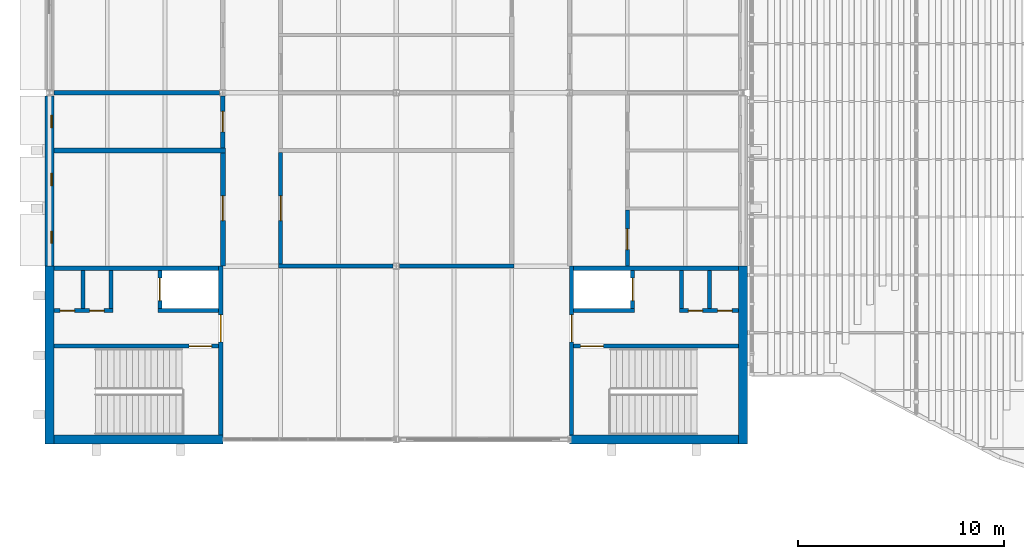
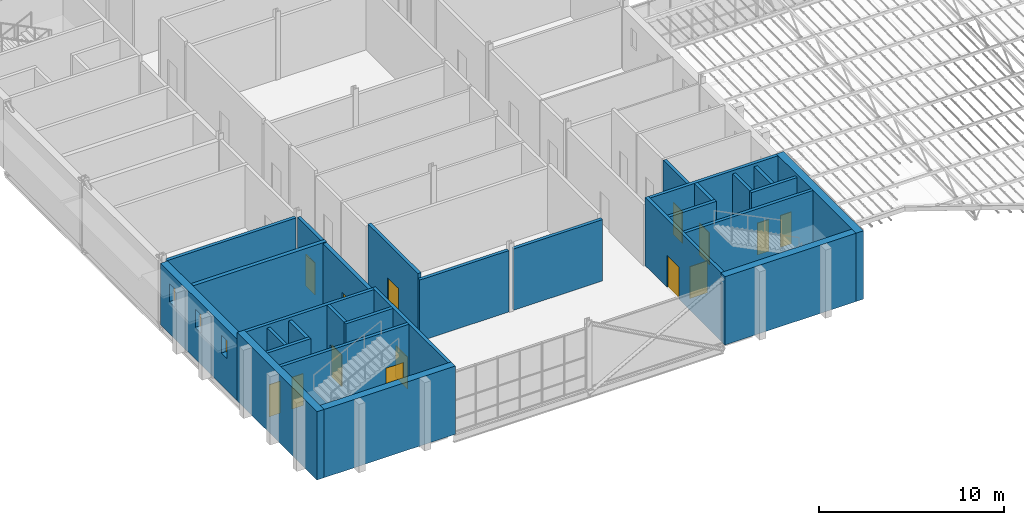
# One storey, part 84 of 129: 29 walls, 14 doors, 3 windows, 17 openings.
"""IFC4 building model written with IfcOpenShell, lengths in metres."""

import ifcopenshell
import ifcopenshell.guid

model = None  # the IFC model being written
_history = None  # IfcOwnerHistory: only IFC2X3 demands one
_inside = {}  # id of a spatial element -> (the spatial element, [elements in it])
_under = {}  # id of a project, library or spatial element -> (it, [spatial elements below it])
_declared = {}  # id of a project -> (the project, [libraries it declares])
_typed = {}  # id of a type object -> (the type object, [elements of that type])
_made_of = {}  # id of a material, layer set ... -> (it, [elements and type objects made of it])


def new_model(schema):
    """Start an empty IFC model of exactly this schema.

    Asked for "IFC4X3", IfcOpenShell would pick the latest addendum, in which some entities
    have other attributes; the version numbers below select the first issue.
    IFC2X3 requires an IfcOwnerHistory on every rooted entity: one is made here for all.
    """
    global model, _history
    if schema == "IFC4X3":
        model = ifcopenshell.file(schema_version=(4, 3, 0, 0))
    else:
        model = ifcopenshell.file(schema=schema)
    _inside.clear()
    _under.clear()
    _declared.clear()
    _typed.clear()
    _made_of.clear()
    _history = None
    if model.schema == "IFC2X3":
        org = make("IfcOrganization", Name="unknown")
        user = make(
            "IfcPersonAndOrganization",
            ThePerson=make("IfcPerson", FamilyName="unknown"),
            TheOrganization=org,
        )
        app = make(
            "IfcApplication",
            ApplicationDeveloper=org,
            Version="unknown",
            ApplicationFullName="unknown",
            ApplicationIdentifier="unknown",
        )
        _history = make(
            "IfcOwnerHistory",
            OwningUser=user,
            OwningApplication=app,
            ChangeAction="ADDED",
            CreationDate=0,
        )
    return model


def make(cls, **values):
    """One entity of the class cls with the attributes given. An attribute that is None is left unset."""
    return model.create_entity(
        cls, **{name: value for name, value in values.items() if value is not None}
    )


def rooted(cls, **values):
    """An entity with a GlobalId (a new one), such as an element, a storey or a relation."""
    return make(cls, GlobalId=ifcopenshell.guid.new(), OwnerHistory=_history, **values)


def si_unit(unit_type, name, prefix=None):
    """IfcSIUnit, for example si_unit("LENGTHUNIT", "METRE", prefix="MILLI")."""
    return make("IfcSIUnit", UnitType=unit_type, Prefix=prefix, Name=name)


def assignment(units):
    """IfcUnitAssignment: the units of a project."""
    return None if units is None else make("IfcUnitAssignment", Units=units)


def point(xyz):
    """IfcCartesianPoint."""
    return None if xyz is None else make("IfcCartesianPoint", Coordinates=xyz)


def direction(xyz):
    """IfcDirection."""
    return None if xyz is None else make("IfcDirection", DirectionRatios=xyz)


def frame(location, z_axis=None, x_axis=None):
    """IfcAxis2Placement3D, a coordinate frame: its origin and axes. An axis left out is left unset."""
    return make(
        "IfcAxis2Placement3D",
        Location=point(location),
        Axis=direction(z_axis),
        RefDirection=direction(x_axis),
    )


def frame_2d(location, x_axis=None):
    """IfcAxis2Placement2D, a coordinate frame in the plane: its origin and x axis."""
    return make(
        "IfcAxis2Placement2D", Location=point(location), RefDirection=direction(x_axis)
    )


def origin():
    """The frame at (0, 0, 0) with its axes left unset."""
    return frame((0.0, 0.0, 0.0))


def place(relative_to, where):
    """IfcLocalPlacement: puts the frame where relative to a parent placement (None: the world)."""
    return make(
        "IfcLocalPlacement", PlacementRelTo=relative_to, RelativePlacement=where
    )


def context(
    kind, dimensions, precision=None, world=None, true_north=None, identifier=None
):
    """IfcGeometricRepresentationContext, for example the 3D "Model" context."""
    return make(
        "IfcGeometricRepresentationContext",
        ContextIdentifier=identifier,
        ContextType=kind,
        CoordinateSpaceDimension=dimensions,
        Precision=precision,
        WorldCoordinateSystem=world,
        TrueNorth=true_north,
    )


def subcontext(parent, identifier, kind, view, scale=None):
    """IfcGeometricRepresentationSubContext, for example "Body" below "Model"."""
    return make(
        "IfcGeometricRepresentationSubContext",
        ContextIdentifier=identifier,
        ContextType=kind,
        ParentContext=parent,
        TargetScale=scale,
        TargetView=view,
    )


def project(units=None, contexts=None):
    """IfcProject with its units and contexts."""
    return rooted(
        "IfcProject",
        Name="project",
        RepresentationContexts=contexts,
        UnitsInContext=assignment(units),
    )


def spatial(cls, under=None, at=None, **own):
    """A site, building, storey or space (cls), placed at a placement, below another one or the project."""
    s = rooted(cls, ObjectPlacement=at, **own)
    if under is not None:
        _under.setdefault(under.id(), (under, []))[1].append(s)
    return s


def profile(cls, at=None, kind="AREA", **sizes):
    """A parametric profile (cls). Its sizes go by their IFC names, for example OverallWidth=200.0."""
    return make(cls, ProfileType=kind, Position=at, **sizes)


def rectangle(**sizes):
    """IfcRectangleProfileDef."""
    return profile("IfcRectangleProfileDef", **sizes)


def extrude(swept, where, along, depth):
    """IfcExtrudedAreaSolid: the profile swept, set in the frame where, extruded along a direction by depth."""
    return make(
        "IfcExtrudedAreaSolid",
        SweptArea=swept,
        Position=where,
        ExtrudedDirection=direction(along),
        Depth=depth,
    )


def shape(context_of_items, identifier, shape_type, items):
    """IfcShapeRepresentation: the items that make up one representation, for example the "Body"."""
    return make(
        "IfcShapeRepresentation",
        ContextOfItems=context_of_items,
        RepresentationIdentifier=identifier,
        RepresentationType=shape_type,
        Items=items,
    )


def material(Name=None, Category=None):
    """IfcMaterial."""
    return make("IfcMaterial", Name=Name, Category=Category)


def layer(
    of_material, thickness, ventilated=None, Name=None, Category=None, Priority=None
):
    """IfcMaterialLayer: one layer of a wall or slab, of a material (None: an air gap)."""
    return make(
        "IfcMaterialLayer",
        Material=of_material,
        LayerThickness=thickness,
        IsVentilated=ventilated,
        Name=Name,
        Category=Category,
        Priority=Priority,
    )


def layer_set(layers, Name=None):
    """IfcMaterialLayerSet."""
    return make("IfcMaterialLayerSet", MaterialLayers=layers, LayerSetName=Name)


def made_of(thing, what):
    """Note that an element or type object is made of a material, layer set ...; save() writes the relation."""
    if what is not None:
        _made_of.setdefault(what.id(), (what, []))[1].append(thing)
    return thing


def type_object(cls, material=None, **own):
    """A type object (cls), such as IfcWallType, which elements share."""
    return made_of(rooted(cls, **own), material)


def element(
    cls,
    number,
    at=None,
    inside=None,
    cuts=None,
    type_object=None,
    material=None,
    context=None,
    identifier="Body",
    shape_type=None,
    held_by="IfcProductDefinitionShape",
    body=None,
    shapes=None,
    **own,
):
    """One element of the class cls, such as IfcWall. Its Tag is "e" and its number.

    at: its placement. inside: the storey or other place that contains it. cuts: it is an
    opening in that element (IfcRelVoidsElement). A single representation is given by context,
    identifier, shape_type and body (its items); several are given by shapes. held_by: the class
    of the entity that holds the representations. save() writes the other relations.
    """
    e = rooted(cls, Tag="e%d" % number, ObjectPlacement=at, **own)
    if body is not None:
        shapes = [shape(context, identifier, shape_type, body)]
    if shapes is not None:
        e.Representation = make(held_by, Representations=shapes)
    if inside is not None:
        _inside.setdefault(inside.id(), (inside, []))[1].append(e)
    if cuts is not None:
        rooted(
            "IfcRelVoidsElement", RelatingBuildingElement=cuts, RelatedOpeningElement=e
        )
    if type_object is not None:
        _typed.setdefault(type_object.id(), (type_object, []))[1].append(e)
    return made_of(e, material)


def fill(opening, filler):
    """IfcRelFillsElement: the door or window that sits in an opening."""
    return rooted(
        "IfcRelFillsElement",
        RelatingOpeningElement=opening,
        RelatedBuildingElement=filler,
    )


def aggregate(whole, parts):
    """IfcRelAggregates: a whole, such as a stair, and the parts it consists of."""
    return rooted("IfcRelAggregates", RelatingObject=whole, RelatedObjects=parts)


def save(model, path):
    """Write the relations noted so far, then the file.

    IfcRelAggregates (storeys below a building ...), IfcRelContainedInSpatialStructure (elements
    in a storey), IfcRelDefinesByType, IfcRelAssociatesMaterial and IfcRelDeclares: one each for
    every whole, place, type object, material and project.
    """
    for whole, parts in _under.values():
        aggregate(whole, parts)
    for where, things in _inside.values():
        rooted(
            "IfcRelContainedInSpatialStructure",
            RelatedElements=things,
            RelatingStructure=where,
        )
    for kind, things in _typed.values():
        rooted("IfcRelDefinesByType", RelatedObjects=things, RelatingType=kind)
    for what, things in _made_of.values():
        rooted("IfcRelAssociatesMaterial", RelatedObjects=things, RelatingMaterial=what)
    for by, libraries in _declared.values():
        rooted("IfcRelDeclares", RelatingContext=by, RelatedDefinitions=libraries)
    model.write(path)


model = new_model("IFC4")

# Units and contexts
model_context = context("Model", 3, precision=1e-05, world=origin(), true_north=direction((0.0, 1.0)))
body_context = subcontext(model_context, "Body", "Model", "MODEL_VIEW")
ifc_project = project(units=[si_unit("LENGTHUNIT", "METRE"), si_unit("AREAUNIT", "SQUARE_METRE"), si_unit("VOLUMEUNIT", "CUBIC_METRE"), si_unit("PLANEANGLEUNIT", "RADIAN"), si_unit("MASSUNIT", "GRAM", prefix="KILO")], contexts=[model_context])

# Site, building, storey
site_placement = place(None, origin())
site = spatial("IfcSite", under=ifc_project, at=site_placement, CompositionType="ELEMENT")
building_placement = place(site_placement, origin())
building = spatial("IfcBuilding", under=site, at=building_placement, Name="Ardhachandra Cancer Care Centre", CompositionType="ELEMENT")
storey_placement = place(building_placement, frame((0.0, 0.0, 4.5)))
storey = spatial("IfcBuildingStorey", under=building, at=storey_placement, Name="L01", CompositionType="ELEMENT", Elevation=4.5)

# Wall, opening, door
ifc_material_1 = material(Name="Gypsum board corridor partition on steel studs", Category="steel")
ifc_layer_1 = layer(ifc_material_1, 0.199951171875)
ifc_layer_set_1 = layer_set([ifc_layer_1], Name="Gypsum board corridor partition on steel studs")
wall_type_1 = type_object("IfcWallType", Name="CORRIDOR WALL 200", PredefinedType="PARTITIONING", material=ifc_layer_set_1)
wall_1_placement = place(storey_placement, frame((19.199951171875, 43.52001953125, 0.0), z_axis=(0.0, 0.0, 1.0), x_axis=(0.0, 1.0, 0.0)))
wall_1 = element("IfcWall", 1, at=wall_1_placement, inside=storey, type_object=wall_type_1, Name="R/wall/L01/v0019200_0043520", PredefinedType="PARTITIONING", context=body_context, shape_type="SweptSolid", body=[
    extrude(rectangle(XDim=2.530029296875, YDim=0.199951171875, at=frame_2d((1.26513671875, 0.0))), origin(), (0.0, 0.0, 1.0), 4.10009765625),
])
opening_1_placement = place(wall_1_placement, frame((0.780029296875, 0.0, 0.0)))
opening_1 = element("IfcOpeningElement", 2, at=opening_1_placement, cuts=wall_1, Name="Opening L01-0045", PredefinedType="OPENING", context=body_context, shape_type="SweptSolid", body=[
    extrude(rectangle(XDim=1.0, YDim=2.10009765625, at=frame_2d((0.5, 1.050048828125))), frame((0.0, 0.10986328125, 0.0), z_axis=(0.0, -1.0, 0.0), x_axis=(1.0, 0.0, 0.0)), (0.0, 0.0, 1.0), 0.219970703125),
])
ifc_material_2 = material(Name="Timber fire door with smoke seals", Category="wood")
door_type_1 = type_object("IfcDoorType", Name="FIRE DOOR SINGLE 1000x2100 FD30S", OperationType="NOTDEFINED", PredefinedType="DOOR", material=ifc_material_2)
door_1_placement = place(opening_1_placement, origin())
door_1 = element("IfcDoor", 3, at=door_1_placement, inside=storey, type_object=door_type_1, Name="Door L01-0045", OperationType="SINGLE_SWING_RIGHT", OverallHeight=2.10009765625, OverallWidth=1.0, PredefinedType="DOOR", context=body_context, shape_type="SweptSolid", body=[
    extrude(rectangle(XDim=1.0, YDim=2.10009765625, at=frame_2d((0.5, 1.050048828125))), frame((0.0, 0.02490234375, 0.0), z_axis=(0.0, -1.0, 0.0), x_axis=(1.0, 0.0, 0.0)), (0.0, 0.0, 1.0), 0.050048828125),
])
fill(opening_1, door_1)

wall_2_placement = place(storey_placement, frame((38.800048828125, 37.800048828125, 0.0), z_axis=(0.0, 0.0, 1.0), x_axis=(0.0, 1.0, 0.0)))
wall_2 = element("IfcWall", 4, at=wall_2_placement, inside=storey, type_object=wall_type_1, Name="R/wall/L01/v0038800_0037800", PredefinedType="PARTITIONING", context=body_context, shape_type="SweptSolid", body=[
    extrude(rectangle(XDim=2.724853515625, YDim=0.199951171875, at=frame_2d((1.3623046875, 0.0))), origin(), (0.0, 0.0, 1.0), 4.35009765625),
])
opening_2_placement = place(wall_2_placement, frame((0.800048828125, 0.0, 0.0)))
opening_2 = element("IfcOpeningElement", 5, at=opening_2_placement, cuts=wall_2, Name="Opening L01-0065", PredefinedType="OPENING", context=body_context, shape_type="SweptSolid", body=[
    extrude(rectangle(XDim=1.0, YDim=2.10009765625, at=frame_2d((0.5, 1.050048828125))), frame((0.0, 0.10986328125, 0.0), z_axis=(0.0, -1.0, 0.0), x_axis=(1.0, 0.0, 0.0)), (0.0, 0.0, 1.0), 0.219970703125),
])
door_2_placement = place(opening_2_placement, origin())
door_2 = element("IfcDoor", 6, at=door_2_placement, inside=storey, type_object=door_type_1, Name="Door L01-0065", OperationType="SINGLE_SWING_LEFT", OverallHeight=2.10009765625, OverallWidth=1.0, PredefinedType="DOOR", context=body_context, shape_type="SweptSolid", body=[
    extrude(rectangle(XDim=1.0, YDim=2.10009765625, at=frame_2d((0.5, 1.050048828125))), frame((0.0, 0.02490234375, 0.0), z_axis=(0.0, -1.0, 0.0), x_axis=(1.0, 0.0, 0.0)), (0.0, 0.0, 1.0), 0.050048828125),
])
fill(opening_2, door_2)

# Walls
ifc_material_3 = material(Name="Concrete M40", Category="concrete")
ifc_layer_2 = layer(ifc_material_3, 0.449951171875)
ifc_layer_set_2 = layer_set([ifc_layer_2], Name="Concrete M40")
wall_type_2 = type_object("IfcWallType", Name="Core exterior wall RC 450", PredefinedType="SOLIDWALL", material=ifc_layer_set_2)
wall_3_placement = place(storey_placement, frame((10.800048828125, 29.175048828125, 0.0), z_axis=(0.0, 0.0, 1.0), x_axis=(0.0, 1.0, 0.0)))
element("IfcWall", 7, at=wall_3_placement, inside=storey, type_object=wall_type_2, Name="Core wall K1 FAR", PredefinedType="SOLIDWALL", context=body_context, shape_type="SweptSolid", body=[
    extrude(rectangle(XDim=8.625, YDim=0.449951171875, at=frame_2d((4.3125, 0.0))), origin(), (0.0, 0.0, 1.0), 4.5),
])
wall_4_placement = place(storey_placement, frame((19.199951171875, 29.39990234375, 0.0), z_axis=(0.0, 0.0, 1.0), x_axis=(-1.0, 0.0, 0.0)))
element("IfcWall", 8, at=wall_4_placement, inside=storey, type_object=wall_type_2, Name="Core wall K1 UW", PredefinedType="SOLIDWALL", context=body_context, shape_type="SweptSolid", body=[
    extrude(rectangle(XDim=8.175048828125, YDim=0.449951171875, at=frame_2d((4.08740234375, 0.0))), origin(), (0.0, 0.0, 1.0), 4.5),
])
wall_5_placement = place(storey_placement, frame((44.39990234375, 29.175048828125, 0.0), z_axis=(0.0, 0.0, 1.0), x_axis=(0.0, 1.0, 0.0)))
element("IfcWall", 9, at=wall_5_placement, inside=storey, type_object=wall_type_2, Name="Core wall K2 FAR", PredefinedType="SOLIDWALL", context=body_context, shape_type="SweptSolid", body=[
    extrude(rectangle(XDim=8.625, YDim=0.449951171875, at=frame_2d((4.3125, 0.0))), origin(), (0.0, 0.0, 1.0), 4.5),
])
wall_6_placement = place(storey_placement, frame((36.0, 29.39990234375, 0.0), z_axis=(0.0, 0.0, 1.0), x_axis=(1.0, 0.0, 0.0)))
element("IfcWall", 10, at=wall_6_placement, inside=storey, type_object=wall_type_2, Name="Core wall K2 UW", PredefinedType="SOLIDWALL", context=body_context, shape_type="SweptSolid", body=[
    extrude(rectangle(XDim=8.175048828125, YDim=0.449951171875, at=frame_2d((4.08740234375, 0.0))), origin(), (0.0, 0.0, 1.0), 4.5),
])

# Wall, opening, door
ifc_material_4 = material(Name="Concrete M40", Category="concrete")
ifc_layer_3 = layer(ifc_material_4, 0.199951171875)
ifc_layer_set_3 = layer_set([ifc_layer_3], Name="Concrete M40")
wall_type_3 = type_object("IfcWallType", Name="Core wall RC 200", PredefinedType="SOLIDWALL", material=ifc_layer_set_3)
wall_7_placement = place(storey_placement, frame((19.10009765625, 29.625, 0.0), z_axis=(0.0, 0.0, 1.0), x_axis=(0.0, 1.0, 0.0)))
wall_7 = element("IfcWall", 11, at=wall_7_placement, inside=storey, type_object=wall_type_3, Name="Core wall K1 ENT", PredefinedType="SOLIDWALL", context=body_context, shape_type="SweptSolid", body=[
    extrude(rectangle(XDim=8.175048828125, YDim=0.199951171875, at=frame_2d((4.08740234375, 0.0))), origin(), (0.0, 0.0, 1.0), 4.5),
])
opening_3_placement = place(wall_7_placement, frame((4.512451171875, 0.0, 0.0)))
opening_3 = element("IfcOpeningElement", 12, at=opening_3_placement, cuts=wall_7, Name="Opening L01-K01-1", PredefinedType="OPENING", context=body_context, shape_type="SweptSolid", body=[
    extrude(rectangle(XDim=1.300048828125, YDim=2.10009765625, at=frame_2d((0.64990234375, 1.050048828125))), frame((0.0, 0.10986328125, 0.0), z_axis=(0.0, -1.0, 0.0), x_axis=(1.0, 0.0, 0.0)), (0.0, 0.0, 1.0), 0.219970703125),
])
ifc_material_5 = material(Name="Steel door set", Category="steel")
door_type_2 = type_object("IfcDoorType", Name="Core entry double door 1300x2100 FD60", OperationType="DOUBLE_DOOR_DOUBLE_SWING", PredefinedType="DOOR", material=ifc_material_5)
door_3_placement = place(opening_3_placement, origin())
door_3 = element("IfcDoor", 13, at=door_3_placement, inside=storey, type_object=door_type_2, Name="Core entry door", OperationType="DOUBLE_DOOR_DOUBLE_SWING", OverallHeight=2.10009765625, OverallWidth=1.300048828125, PredefinedType="DOOR", context=body_context, shape_type="SweptSolid", body=[
    extrude(rectangle(XDim=1.300048828125, YDim=2.10009765625, at=frame_2d((0.64990234375, 1.050048828125))), frame((0.0, 0.02490234375, 0.0), z_axis=(0.0, -1.0, 0.0), x_axis=(1.0, 0.0, 0.0)), (0.0, 0.0, 1.0), 0.050048828125),
])
fill(opening_3, door_3)

# Wall
wall_8_placement = place(storey_placement, frame((19.0, 37.699951171875, 0.0), z_axis=(0.0, 0.0, 1.0), x_axis=(-1.0, 0.0, 0.0)))
element("IfcWall", 14, at=wall_8_placement, inside=storey, type_object=wall_type_3, Name="Core wall K1 UE", PredefinedType="SOLIDWALL", context=body_context, shape_type="SweptSolid", body=[
    extrude(rectangle(XDim=7.97509765625, YDim=0.199951171875, at=frame_2d((3.987548828125, 0.0))), origin(), (0.0, 0.0, 1.0), 4.5),
])

# Wall, opening, door
wall_9_placement = place(storey_placement, frame((19.0, 33.925048828125, 0.0), z_axis=(0.0, 0.0, 1.0), x_axis=(-1.0, 0.0, 0.0)))
wall_9 = element("IfcWall", 15, at=wall_9_placement, inside=storey, type_object=wall_type_3, Name="Core wall K1 P1", PredefinedType="SOLIDWALL", context=body_context, shape_type="SweptSolid", body=[
    extrude(rectangle(XDim=7.97509765625, YDim=0.199951171875, at=frame_2d((3.987548828125, 0.0))), origin(), (0.0, 0.0, 1.0), 4.5),
])
opening_4_placement = place(wall_9_placement, frame((0.33740234375, 0.0, 0.0)))
opening_4 = element("IfcOpeningElement", 16, at=opening_4_placement, cuts=wall_9, Name="Opening L01-K01-2", PredefinedType="OPENING", context=body_context, shape_type="SweptSolid", body=[
    extrude(rectangle(XDim=1.10009765625, YDim=2.10009765625, at=frame_2d((0.550048828125, 1.050048828125))), frame((0.0, 0.10986328125, 0.0), z_axis=(0.0, -1.0, 0.0), x_axis=(1.0, 0.0, 0.0)), (0.0, 0.0, 1.0), 0.219970703125),
])
ifc_material_6 = material(Name="Steel door set", Category="steel")
door_type_3 = type_object("IfcDoorType", Name="Stair door 1100x2100 FD60S", OperationType="NOTDEFINED", PredefinedType="DOOR", material=ifc_material_6)
door_4_placement = place(opening_4_placement, origin())
door_4 = element("IfcDoor", 17, at=door_4_placement, inside=storey, type_object=door_type_3, Name="Stair door", OperationType="SINGLE_SWING_LEFT", OverallHeight=2.10009765625, OverallWidth=1.10009765625, PredefinedType="DOOR", context=body_context, shape_type="SweptSolid", body=[
    extrude(rectangle(XDim=1.10009765625, YDim=2.10009765625, at=frame_2d((0.550048828125, 1.050048828125))), frame((0.0, 0.02490234375, 0.0), z_axis=(0.0, -1.0, 0.0), x_axis=(1.0, 0.0, 0.0)), (0.0, 0.0, 1.0), 0.050048828125),
])
fill(opening_4, door_4)

# Wall
wall_10_placement = place(storey_placement, frame((19.0, 35.64990234375, 0.0), z_axis=(0.0, 0.0, 1.0), x_axis=(-1.0, 0.0, 0.0)))
element("IfcWall", 18, at=wall_10_placement, inside=storey, type_object=wall_type_3, Name="Core wall K1 P2A", PredefinedType="SOLIDWALL", context=body_context, shape_type="SweptSolid", body=[
    extrude(rectangle(XDim=2.949951171875, YDim=0.199951171875, at=frame_2d((1.47509765625, 0.0))), origin(), (0.0, 0.0, 1.0), 4.5),
])

# Wall, openings, doors
wall_11_placement = place(storey_placement, frame((13.875, 35.64990234375, 0.0), z_axis=(0.0, 0.0, 1.0), x_axis=(-1.0, 0.0, 0.0)))
wall_11 = element("IfcWall", 19, at=wall_11_placement, inside=storey, type_object=wall_type_3, Name="Core wall K1 P2B", PredefinedType="SOLIDWALL", context=body_context, shape_type="SweptSolid", body=[
    extrude(rectangle(XDim=2.85009765625, YDim=0.199951171875, at=frame_2d((1.425048828125, 0.0))), origin(), (0.0, 0.0, 1.0), 4.300048828125),
])
opening_5_placement = place(wall_11_placement, frame((0.425048828125, 0.0, 0.0)))
opening_5 = element("IfcOpeningElement", 20, at=opening_5_placement, cuts=wall_11, Name="Opening L01-K01-4", PredefinedType="OPENING", context=body_context, shape_type="SweptSolid", body=[
    extrude(rectangle(XDim=0.699951171875, YDim=2.10009765625, at=frame_2d((0.35009765625, 1.050048828125))), frame((0.0, 0.10986328125, 0.0), z_axis=(0.0, -1.0, 0.0), x_axis=(1.0, 0.0, 0.0)), (0.0, 0.0, 1.0), 0.219970703125),
])
opening_6_placement = place(wall_11_placement, frame((1.85009765625, 0.0, 0.0)))
opening_6 = element("IfcOpeningElement", 21, at=opening_6_placement, cuts=wall_11, Name="Opening L01-K01-5", PredefinedType="OPENING", context=body_context, shape_type="SweptSolid", body=[
    extrude(rectangle(XDim=0.699951171875, YDim=2.10009765625, at=frame_2d((0.35009765625, 1.050048828125))), frame((0.0, 0.10986328125, 0.0), z_axis=(0.0, -1.0, 0.0), x_axis=(1.0, 0.0, 0.0)), (0.0, 0.0, 1.0), 0.219970703125),
])
ifc_material_7 = material(Name="Steel door set", Category="steel")
door_type_4 = type_object("IfcDoorType", Name="Riser access door 700x2100 FD120S", OperationType="NOTDEFINED", PredefinedType="DOOR", material=ifc_material_7)
door_5_placement = place(opening_5_placement, origin())
door_5 = element("IfcDoor", 22, at=door_5_placement, inside=storey, type_object=door_type_4, Name="Riser access door", OperationType="SINGLE_SWING_LEFT", OverallHeight=2.10009765625, OverallWidth=0.699951171875, PredefinedType="DOOR", context=body_context, shape_type="SweptSolid", body=[
    extrude(rectangle(XDim=0.699951171875, YDim=2.10009765625, at=frame_2d((0.35009765625, 1.050048828125))), frame((0.0, 0.02490234375, 0.0), z_axis=(0.0, -1.0, 0.0), x_axis=(1.0, 0.0, 0.0)), (0.0, 0.0, 1.0), 0.050048828125),
])
fill(opening_5, door_5)
door_6_placement = place(opening_6_placement, origin())
door_6 = element("IfcDoor", 23, at=door_6_placement, inside=storey, type_object=door_type_4, Name="Riser access door", OperationType="SINGLE_SWING_RIGHT", OverallHeight=2.10009765625, OverallWidth=0.699951171875, PredefinedType="DOOR", context=body_context, shape_type="SweptSolid", body=[
    extrude(rectangle(XDim=0.699951171875, YDim=2.10009765625, at=frame_2d((0.35009765625, 1.050048828125))), frame((0.0, 0.02490234375, 0.0), z_axis=(0.0, -1.0, 0.0), x_axis=(1.0, 0.0, 0.0)), (0.0, 0.0, 1.0), 0.050048828125),
])
fill(opening_6, door_6)

# Wall, opening, door
wall_12_placement = place(storey_placement, frame((16.14990234375, 35.75, 0.0), z_axis=(0.0, 0.0, 1.0), x_axis=(0.0, 1.0, 0.0)))
wall_12 = element("IfcWall", 24, at=wall_12_placement, inside=storey, type_object=wall_type_3, Name="Core wall K1 W1", PredefinedType="SOLIDWALL", context=body_context, shape_type="SweptSolid", body=[
    extrude(rectangle(XDim=1.85009765625, YDim=0.199951171875, at=frame_2d((0.925048828125, 0.0))), origin(), (0.0, 0.0, 1.0), 4.5),
])
opening_7_placement = place(wall_12_placement, frame((0.375, 0.0, 0.0)))
opening_7 = element("IfcOpeningElement", 25, at=opening_7_placement, cuts=wall_12, Name="Opening L01-K01-3", PredefinedType="OPENING", context=body_context, shape_type="SweptSolid", body=[
    extrude(rectangle(XDim=1.10009765625, YDim=2.10009765625, at=frame_2d((0.550048828125, 1.050048828125))), frame((0.0, 0.10986328125, 0.0), z_axis=(0.0, -1.0, 0.0), x_axis=(1.0, 0.0, 0.0)), (0.0, 0.0, 1.0), 0.219970703125),
])
ifc_material_8 = material(Name="Stainless steel (grade 304)", Category="steel")
door_type_5 = type_object("IfcDoorType", Name="Lift landing door 1100x2100", OperationType="DOUBLE_DOOR_SLIDING", PredefinedType="DOOR", material=ifc_material_8)
door_7_placement = place(opening_7_placement, origin())
door_7 = element("IfcDoor", 26, at=door_7_placement, inside=storey, type_object=door_type_5, Name="Lift landing door LF-K1-1", OperationType="DOUBLE_DOOR_SLIDING", OverallHeight=2.10009765625, OverallWidth=1.10009765625, PredefinedType="DOOR", context=body_context, shape_type="SweptSolid", body=[
    extrude(rectangle(XDim=1.10009765625, YDim=2.10009765625, at=frame_2d((0.550048828125, 1.050048828125))), frame((0.0, 0.02490234375, 0.0), z_axis=(0.0, -1.0, 0.0), x_axis=(1.0, 0.0, 0.0)), (0.0, 0.0, 1.0), 0.050048828125),
])
fill(opening_7, door_7)

# Walls
for number, where, z_axis, x_axis, name in (
    (27, (13.77490234375, 35.75, 0.0), (0.0, 0.0, 1.0), (0.0, 1.0, 0.0), "Core wall K1 W2"),
    (28, (12.425048828125, 35.75, 0.0), (0.0, 0.0, 1.0), (0.0, 1.0, 0.0), "Core wall K1 DIV"),
):
    element("IfcWall", number, at=place(storey_placement, frame(where, z_axis=z_axis, x_axis=x_axis)), inside=storey, type_object=wall_type_3, Name=name, PredefinedType="SOLIDWALL", context=body_context, shape_type="SweptSolid", body=[
        extrude(rectangle(XDim=1.85009765625, YDim=0.199951171875, at=frame_2d((0.925048828125, 0.0))), origin(), (0.0, 0.0, 1.0), 4.300048828125),
    ])

# Wall, opening, door
wall_13_placement = place(storey_placement, frame((36.10009765625, 29.625, 0.0), z_axis=(0.0, 0.0, 1.0), x_axis=(0.0, 1.0, 0.0)))
wall_13 = element("IfcWall", 29, at=wall_13_placement, inside=storey, type_object=wall_type_3, Name="Core wall K2 ENT", PredefinedType="SOLIDWALL", context=body_context, shape_type="SweptSolid", body=[
    extrude(rectangle(XDim=8.175048828125, YDim=0.199951171875, at=frame_2d((4.08740234375, 0.0))), origin(), (0.0, 0.0, 1.0), 4.5),
])
opening_8_placement = place(wall_13_placement, frame((4.512451171875, 0.0, 0.0)))
opening_8 = element("IfcOpeningElement", 30, at=opening_8_placement, cuts=wall_13, Name="Opening L01-K02-1", PredefinedType="OPENING", context=body_context, shape_type="SweptSolid", body=[
    extrude(rectangle(XDim=1.300048828125, YDim=2.10009765625, at=frame_2d((0.64990234375, 1.050048828125))), frame((0.0, 0.10986328125, 0.0), z_axis=(0.0, -1.0, 0.0), x_axis=(1.0, 0.0, 0.0)), (0.0, 0.0, 1.0), 0.219970703125),
])
door_8_placement = place(opening_8_placement, origin())
door_8 = element("IfcDoor", 31, at=door_8_placement, inside=storey, type_object=door_type_2, Name="Core entry door", OperationType="DOUBLE_DOOR_DOUBLE_SWING", OverallHeight=2.10009765625, OverallWidth=1.300048828125, PredefinedType="DOOR", context=body_context, shape_type="SweptSolid", body=[
    extrude(rectangle(XDim=1.300048828125, YDim=2.10009765625, at=frame_2d((0.64990234375, 1.050048828125))), frame((0.0, 0.02490234375, 0.0), z_axis=(0.0, -1.0, 0.0), x_axis=(1.0, 0.0, 0.0)), (0.0, 0.0, 1.0), 0.050048828125),
])
fill(opening_8, door_8)

# Wall
wall_14_placement = place(storey_placement, frame((36.199951171875, 37.699951171875, 0.0), z_axis=(0.0, 0.0, 1.0), x_axis=(1.0, 0.0, 0.0)))
element("IfcWall", 32, at=wall_14_placement, inside=storey, type_object=wall_type_3, Name="Core wall K2 UE", PredefinedType="SOLIDWALL", context=body_context, shape_type="SweptSolid", body=[
    extrude(rectangle(XDim=7.97509765625, YDim=0.199951171875, at=frame_2d((3.987548828125, 0.0))), origin(), (0.0, 0.0, 1.0), 4.5),
])

# Wall, opening, door
wall_15_placement = place(storey_placement, frame((36.199951171875, 33.925048828125, 0.0), z_axis=(0.0, 0.0, 1.0), x_axis=(1.0, 0.0, 0.0)))
wall_15 = element("IfcWall", 33, at=wall_15_placement, inside=storey, type_object=wall_type_3, Name="Core wall K2 P1", PredefinedType="SOLIDWALL", context=body_context, shape_type="SweptSolid", body=[
    extrude(rectangle(XDim=7.97509765625, YDim=0.199951171875, at=frame_2d((3.987548828125, 0.0))), origin(), (0.0, 0.0, 1.0), 4.5),
])
opening_9_placement = place(wall_15_placement, frame((0.33740234375, 0.0, 0.0)))
opening_9 = element("IfcOpeningElement", 34, at=opening_9_placement, cuts=wall_15, Name="Opening L01-K02-2", PredefinedType="OPENING", context=body_context, shape_type="SweptSolid", body=[
    extrude(rectangle(XDim=1.10009765625, YDim=2.10009765625, at=frame_2d((0.550048828125, 1.050048828125))), frame((0.0, 0.10986328125, 0.0), z_axis=(0.0, -1.0, 0.0), x_axis=(1.0, 0.0, 0.0)), (0.0, 0.0, 1.0), 0.219970703125),
])
door_9_placement = place(opening_9_placement, origin())
door_9 = element("IfcDoor", 35, at=door_9_placement, inside=storey, type_object=door_type_3, Name="Stair door", OperationType="SINGLE_SWING_RIGHT", OverallHeight=2.10009765625, OverallWidth=1.10009765625, PredefinedType="DOOR", context=body_context, shape_type="SweptSolid", body=[
    extrude(rectangle(XDim=1.10009765625, YDim=2.10009765625, at=frame_2d((0.550048828125, 1.050048828125))), frame((0.0, 0.02490234375, 0.0), z_axis=(0.0, -1.0, 0.0), x_axis=(1.0, 0.0, 0.0)), (0.0, 0.0, 1.0), 0.050048828125),
])
fill(opening_9, door_9)

# Wall
wall_16_placement = place(storey_placement, frame((36.199951171875, 35.64990234375, 0.0), z_axis=(0.0, 0.0, 1.0), x_axis=(1.0, 0.0, 0.0)))
element("IfcWall", 36, at=wall_16_placement, inside=storey, type_object=wall_type_3, Name="Core wall K2 P2A", PredefinedType="SOLIDWALL", context=body_context, shape_type="SweptSolid", body=[
    extrude(rectangle(XDim=2.949951171875, YDim=0.199951171875, at=frame_2d((1.47509765625, 0.0))), origin(), (0.0, 0.0, 1.0), 4.5),
])

# Wall, openings, doors
wall_17_placement = place(storey_placement, frame((41.324951171875, 35.64990234375, 0.0), z_axis=(0.0, 0.0, 1.0), x_axis=(1.0, 0.0, 0.0)))
wall_17 = element("IfcWall", 37, at=wall_17_placement, inside=storey, type_object=wall_type_3, Name="Core wall K2 P2B", PredefinedType="SOLIDWALL", context=body_context, shape_type="SweptSolid", body=[
    extrude(rectangle(XDim=2.85009765625, YDim=0.199951171875, at=frame_2d((1.425048828125, 0.0))), origin(), (0.0, 0.0, 1.0), 4.300048828125),
])
opening_10_placement = place(wall_17_placement, frame((0.425048828125, 0.0, 0.0)))
opening_10 = element("IfcOpeningElement", 38, at=opening_10_placement, cuts=wall_17, Name="Opening L01-K02-4", PredefinedType="OPENING", context=body_context, shape_type="SweptSolid", body=[
    extrude(rectangle(XDim=0.699951171875, YDim=2.10009765625, at=frame_2d((0.35009765625, 1.050048828125))), frame((0.0, 0.10986328125, 0.0), z_axis=(0.0, -1.0, 0.0), x_axis=(1.0, 0.0, 0.0)), (0.0, 0.0, 1.0), 0.219970703125),
])
opening_11_placement = place(wall_17_placement, frame((1.85009765625, 0.0, 0.0)))
opening_11 = element("IfcOpeningElement", 39, at=opening_11_placement, cuts=wall_17, Name="Opening L01-K02-5", PredefinedType="OPENING", context=body_context, shape_type="SweptSolid", body=[
    extrude(rectangle(XDim=0.699951171875, YDim=2.10009765625, at=frame_2d((0.35009765625, 1.050048828125))), frame((0.0, 0.10986328125, 0.0), z_axis=(0.0, -1.0, 0.0), x_axis=(1.0, 0.0, 0.0)), (0.0, 0.0, 1.0), 0.219970703125),
])
door_10_placement = place(opening_10_placement, origin())
door_10 = element("IfcDoor", 40, at=door_10_placement, inside=storey, type_object=door_type_4, Name="Riser access door", OperationType="SINGLE_SWING_RIGHT", OverallHeight=2.10009765625, OverallWidth=0.699951171875, PredefinedType="DOOR", context=body_context, shape_type="SweptSolid", body=[
    extrude(rectangle(XDim=0.699951171875, YDim=2.10009765625, at=frame_2d((0.35009765625, 1.050048828125))), frame((0.0, 0.02490234375, 0.0), z_axis=(0.0, -1.0, 0.0), x_axis=(1.0, 0.0, 0.0)), (0.0, 0.0, 1.0), 0.050048828125),
])
fill(opening_10, door_10)
door_11_placement = place(opening_11_placement, origin())
door_11 = element("IfcDoor", 41, at=door_11_placement, inside=storey, type_object=door_type_4, Name="Riser access door", OperationType="SINGLE_SWING_LEFT", OverallHeight=2.10009765625, OverallWidth=0.699951171875, PredefinedType="DOOR", context=body_context, shape_type="SweptSolid", body=[
    extrude(rectangle(XDim=0.699951171875, YDim=2.10009765625, at=frame_2d((0.35009765625, 1.050048828125))), frame((0.0, 0.02490234375, 0.0), z_axis=(0.0, -1.0, 0.0), x_axis=(1.0, 0.0, 0.0)), (0.0, 0.0, 1.0), 0.050048828125),
])
fill(opening_11, door_11)

# Wall, opening, door
wall_18_placement = place(storey_placement, frame((39.050048828125, 35.75, 0.0), z_axis=(0.0, 0.0, 1.0), x_axis=(0.0, 1.0, 0.0)))
wall_18 = element("IfcWall", 42, at=wall_18_placement, inside=storey, type_object=wall_type_3, Name="Core wall K2 W1", PredefinedType="SOLIDWALL", context=body_context, shape_type="SweptSolid", body=[
    extrude(rectangle(XDim=1.85009765625, YDim=0.199951171875, at=frame_2d((0.925048828125, 0.0))), origin(), (0.0, 0.0, 1.0), 4.5),
])
opening_12_placement = place(wall_18_placement, frame((0.375, 0.0, 0.0)))
opening_12 = element("IfcOpeningElement", 43, at=opening_12_placement, cuts=wall_18, Name="Opening L01-K02-3", PredefinedType="OPENING", context=body_context, shape_type="SweptSolid", body=[
    extrude(rectangle(XDim=1.10009765625, YDim=2.10009765625, at=frame_2d((0.550048828125, 1.050048828125))), frame((0.0, 0.10986328125, 0.0), z_axis=(0.0, -1.0, 0.0), x_axis=(1.0, 0.0, 0.0)), (0.0, 0.0, 1.0), 0.219970703125),
])
door_12_placement = place(opening_12_placement, origin())
door_12 = element("IfcDoor", 44, at=door_12_placement, inside=storey, type_object=door_type_5, Name="Lift landing door LF-K2-1", OperationType="DOUBLE_DOOR_SLIDING", OverallHeight=2.10009765625, OverallWidth=1.10009765625, PredefinedType="DOOR", context=body_context, shape_type="SweptSolid", body=[
    extrude(rectangle(XDim=1.10009765625, YDim=2.10009765625, at=frame_2d((0.550048828125, 1.050048828125))), frame((0.0, 0.02490234375, 0.0), z_axis=(0.0, -1.0, 0.0), x_axis=(1.0, 0.0, 0.0)), (0.0, 0.0, 1.0), 0.050048828125),
])
fill(opening_12, door_12)

# Walls
for number, where, z_axis, x_axis, name in (
    (45, (41.425048828125, 35.75, 0.0), (0.0, 0.0, 1.0), (0.0, 1.0, 0.0), "Core wall K2 W2"),
    (46, (42.77490234375, 35.75, 0.0), (0.0, 0.0, 1.0), (0.0, 1.0, 0.0), "Core wall K2 DIV"),
):
    element("IfcWall", number, at=place(storey_placement, frame(where, z_axis=z_axis, x_axis=x_axis)), inside=storey, type_object=wall_type_3, Name=name, PredefinedType="SOLIDWALL", context=body_context, shape_type="SweptSolid", body=[
        extrude(rectangle(XDim=1.85009765625, YDim=0.199951171875, at=frame_2d((0.925048828125, 0.0))), origin(), (0.0, 0.0, 1.0), 4.300048828125),
    ])
ifc_material_9 = material(Name="Lead-lined gypsum board partition")
ifc_layer_4 = layer(ifc_material_9, 0.199951171875)
ifc_layer_set_4 = layer_set([ifc_layer_4], Name="Lead-lined gypsum board partition")
wall_type_4 = type_object("IfcWallType", Name="LEAD-LINED PARTITION 200", PredefinedType="PARTITIONING", material=ifc_layer_set_4)
for number, where, z_axis, x_axis, name in (
    (47, (21.89990234375, 37.800048828125, 0.0), (0.0, 0.0, 1.0), (1.0, 0.0, 0.0), "R/wall/L01/h0037800_0021900"),
    (48, (27.75, 37.800048828125, 0.0), (0.0, 0.0, 1.0), (1.0, 0.0, 0.0), "R/wall/L01/h0037800_0027750"),
):
    element("IfcWall", number, at=place(storey_placement, frame(where, z_axis=z_axis, x_axis=x_axis)), inside=storey, type_object=wall_type_4, Name=name, PredefinedType="PARTITIONING", context=body_context, shape_type="SweptSolid", body=[
        extrude(rectangle(XDim=5.550048828125, YDim=0.199951171875, at=frame_2d((2.77490234375, 0.0))), origin(), (0.0, 0.0, 1.0), 4.0439453125),
    ])
wall_19_placement = place(storey_placement, frame((11.02490234375, 46.199951171875, 0.0), z_axis=(0.0, 0.0, 1.0), x_axis=(1.0, 0.0, 0.0)))
element("IfcWall", 49, at=wall_19_placement, inside=storey, type_object=wall_type_4, Name="R/wall/L01/h0046200_0011025", PredefinedType="PARTITIONING", context=body_context, shape_type="SweptSolid", body=[
    extrude(rectangle(XDim=8.025146484375, YDim=0.199951171875, at=frame_2d((4.0126953125, 0.0))), origin(), (0.0, 0.0, 1.0), 4.0439453125),
])

# Wall, opening, door
wall_20_placement = place(storey_placement, frame((22.0, 37.89990234375, 0.0), z_axis=(0.0, 0.0, 1.0), x_axis=(0.0, 1.0, 0.0)))
wall_20 = element("IfcWall", 50, at=wall_20_placement, inside=storey, type_object=wall_type_4, Name="R/wall/L01/v0022000_0037900", PredefinedType="PARTITIONING", context=body_context, shape_type="SweptSolid", body=[
    extrude(rectangle(XDim=5.400146484375, YDim=0.199951171875, at=frame_2d((2.7001953125, 0.0))), origin(), (0.0, 0.0, 1.0), 4.35009765625),
])
opening_13_placement = place(wall_20_placement, frame((2.10009765625, 0.0, 0.0)))
opening_13 = element("IfcOpeningElement", 51, at=opening_13_placement, cuts=wall_20, Name="Opening L01-0051", PredefinedType="OPENING", context=body_context, shape_type="SweptSolid", body=[
    extrude(rectangle(XDim=1.199951171875, YDim=2.10009765625, at=frame_2d((0.60009765625, 1.050048828125))), frame((0.0, 0.10986328125, 0.0), z_axis=(0.0, -1.0, 0.0), x_axis=(1.0, 0.0, 0.0)), (0.0, 0.0, 1.0), 0.219970703125),
])
ifc_material_10 = material(Name="Lead-lined timber door", Category="wood")
door_type_6 = type_object("IfcDoorType", Name="LEAD-LINED DOOR 1200x2100 FD60", OperationType="NOTDEFINED", PredefinedType="DOOR", material=ifc_material_10)
door_13_placement = place(opening_13_placement, origin())
door_13 = element("IfcDoor", 52, at=door_13_placement, inside=storey, type_object=door_type_6, Name="Door L01-0051", OperationType="SINGLE_SWING_LEFT", OverallHeight=2.10009765625, OverallWidth=1.199951171875, PredefinedType="DOOR", context=body_context, shape_type="SweptSolid", body=[
    extrude(rectangle(XDim=1.199951171875, YDim=2.10009765625, at=frame_2d((0.60009765625, 1.050048828125))), frame((0.0, 0.02490234375, 0.0), z_axis=(0.0, -1.0, 0.0), x_axis=(1.0, 0.0, 0.0)), (0.0, 0.0, 1.0), 0.050048828125),
])
fill(opening_13, door_13)

# Wall
ifc_material_11 = material(Name="Concrete block masonry with copper-foil RF shield", Category="masonry")
ifc_layer_5 = layer(ifc_material_11, 0.239990234375)
ifc_layer_set_5 = layer_set([ifc_layer_5], Name="Concrete block masonry with copper-foil RF shield")
wall_type_5 = type_object("IfcWallType", Name="RF-SHIELDED WALL 240", PredefinedType="SOLIDWALL", material=ifc_layer_set_5)
wall_21_placement = place(storey_placement, frame((11.02490234375, 43.39990234375, 0.0), z_axis=(0.0, 0.0, 1.0), x_axis=(1.0, 0.0, 0.0)))
element("IfcWall", 53, at=wall_21_placement, inside=storey, type_object=wall_type_5, Name="R/wall/L01/h0043400_0011025", PredefinedType="SOLIDWALL", context=body_context, shape_type="SweptSolid", body=[
    extrude(rectangle(XDim=8.295166015625, YDim=0.239990234375, at=frame_2d((4.1474609375, 0.0))), origin(), (0.0, 0.0, 1.0), 4.10009765625),
])

# Wall, opening, door
wall_22_placement = place(storey_placement, frame((19.199951171875, 37.800048828125, 0.0), z_axis=(0.0, 0.0, 1.0), x_axis=(0.0, 1.0, 0.0)))
wall_22 = element("IfcWall", 54, at=wall_22_placement, inside=storey, type_object=wall_type_5, Name="R/wall/L01/v0019200_0037800", PredefinedType="SOLIDWALL", context=body_context, shape_type="SweptSolid", body=[
    extrude(rectangle(XDim=5.47998046875, YDim=0.239990234375, at=frame_2d((2.739990234375, 0.0))), origin(), (0.0, 0.0, 1.0), 4.0439453125),
])
opening_14_placement = place(wall_22_placement, frame((2.199951171875, 0.0, 0.0)))
opening_14 = element("IfcOpeningElement", 55, at=opening_14_placement, cuts=wall_22, Name="Opening L01-0044", PredefinedType="OPENING", context=body_context, shape_type="SweptSolid", body=[
    extrude(rectangle(XDim=1.199951171875, YDim=2.10009765625, at=frame_2d((0.60009765625, 1.050048828125))), frame((0.0, 0.1298828125, 0.0), z_axis=(0.0, -1.0, 0.0), x_axis=(1.0, 0.0, 0.0)), (0.0, 0.0, 1.0), 0.260009765625),
])
door_14_placement = place(opening_14_placement, origin())
door_14 = element("IfcDoor", 56, at=door_14_placement, inside=storey, type_object=door_type_6, Name="Door L01-0044", OperationType="SINGLE_SWING_RIGHT", OverallHeight=2.10009765625, OverallWidth=1.199951171875, PredefinedType="DOOR", context=body_context, shape_type="SweptSolid", body=[
    extrude(rectangle(XDim=1.199951171875, YDim=2.10009765625, at=frame_2d((0.60009765625, 1.050048828125))), frame((0.0, 0.02490234375, 0.0), z_axis=(0.0, -1.0, 0.0), x_axis=(1.0, 0.0, 0.0)), (0.0, 0.0, 1.0), 0.050048828125),
])
fill(opening_14, door_14)

# Wall, openings, windows
ifc_material_12 = material(Name="Brick masonry with Concrete M30 core 150", Category="masonry")
ifc_layer_6 = layer(ifc_material_12, 0.449951171875)
ifc_layer_set_6 = layer_set([ifc_layer_6], Name="Brick masonry with Concrete M30 core 150")
wall_type_6 = type_object("IfcWallType", Name="Shielded brick wall 450", PredefinedType="SOLIDWALL", material=ifc_layer_set_6)
wall_23_placement = place(storey_placement, frame((10.800048828125, 37.800048828125, 0.0), z_axis=(0.0, 0.0, 1.0), x_axis=(0.0, 1.0, 0.0)))
wall_23 = element("IfcWall", 57, at=wall_23_placement, inside=storey, type_object=wall_type_6, Name="E/wall/L01/w/0010800_0037800", PredefinedType="SOLIDWALL", context=body_context, shape_type="SweptSolid", body=[
    extrude(rectangle(XDim=8.2548828125, YDim=0.449951171875, at=frame_2d((4.12744140625, 0.0))), origin(), (0.0, 0.0, 1.0), 4.050048828125),
])
opening_15_placement = place(wall_23_placement, frame((1.10009765625, 0.0, 2.10009765625)))
opening_15 = element("IfcOpeningElement", 58, at=opening_15_placement, cuts=wall_23, Name="Opening W4", PredefinedType="OPENING", context=body_context, shape_type="SweptSolid", body=[
    extrude(rectangle(XDim=0.60009765625, YDim=1.199951171875, at=frame_2d((0.300048828125, 0.60009765625))), frame((0.0, 0.23486328125, 0.0), z_axis=(0.0, -1.0, 0.0), x_axis=(1.0, 0.0, 0.0)), (0.0, 0.0, 1.0), 0.469970703125),
])
opening_16_placement = place(wall_23_placement, frame((3.89990234375, 0.0, 2.10009765625)))
opening_16 = element("IfcOpeningElement", 59, at=opening_16_placement, cuts=wall_23, Name="Opening W4", PredefinedType="OPENING", context=body_context, shape_type="SweptSolid", body=[
    extrude(rectangle(XDim=0.60009765625, YDim=1.199951171875, at=frame_2d((0.300048828125, 0.60009765625))), frame((0.0, 0.23486328125, 0.0), z_axis=(0.0, -1.0, 0.0), x_axis=(1.0, 0.0, 0.0)), (0.0, 0.0, 1.0), 0.469970703125),
])
opening_17_placement = place(wall_23_placement, frame((6.699951171875, 0.0, 2.10009765625)))
opening_17 = element("IfcOpeningElement", 60, at=opening_17_placement, cuts=wall_23, Name="Opening W4", PredefinedType="OPENING", context=body_context, shape_type="SweptSolid", body=[
    extrude(rectangle(XDim=0.60009765625, YDim=1.199951171875, at=frame_2d((0.300048828125, 0.60009765625))), frame((0.0, 0.23486328125, 0.0), z_axis=(0.0, -1.0, 0.0), x_axis=(1.0, 0.0, 0.0)), (0.0, 0.0, 1.0), 0.469970703125),
])
ifc_material_13 = material(Name="Aluminium frame with double-glazed unit", Category="aluminium")
window_type = type_object("IfcWindowType", Name="Slot window 600 x 1200", PartitioningType="SINGLE_PANEL", PredefinedType="WINDOW", material=ifc_material_13)
window_1_placement = place(opening_15_placement, origin())
window_1 = element("IfcWindow", 61, at=window_1_placement, inside=storey, type_object=window_type, Name="W4 window L01 w/0010800_0037800 1", OverallHeight=1.199951171875, OverallWidth=0.60009765625, PartitioningType="SINGLE_PANEL", PredefinedType="WINDOW", context=body_context, shape_type="SweptSolid", body=[
    extrude(rectangle(XDim=0.60009765625, YDim=1.199951171875, at=frame_2d((0.300048828125, 0.60009765625))), frame((0.0, -0.074951171875, 0.0), z_axis=(0.0, -1.0, 0.0), x_axis=(1.0, 0.0, 0.0)), (0.0, 0.0, 1.0), 0.06005859375),
])
fill(opening_15, window_1)
window_2_placement = place(opening_16_placement, origin())
window_2 = element("IfcWindow", 62, at=window_2_placement, inside=storey, type_object=window_type, Name="W4 window L01 w/0010800_0037800 2", OverallHeight=1.199951171875, OverallWidth=0.60009765625, PartitioningType="SINGLE_PANEL", PredefinedType="WINDOW", context=body_context, shape_type="SweptSolid", body=[
    extrude(rectangle(XDim=0.60009765625, YDim=1.199951171875, at=frame_2d((0.300048828125, 0.60009765625))), frame((0.0, -0.074951171875, 0.0), z_axis=(0.0, -1.0, 0.0), x_axis=(1.0, 0.0, 0.0)), (0.0, 0.0, 1.0), 0.06005859375),
])
fill(opening_16, window_2)
window_3_placement = place(opening_17_placement, origin())
window_3 = element("IfcWindow", 63, at=window_3_placement, inside=storey, type_object=window_type, Name="W4 window L01 w/0010800_0037800 3", OverallHeight=1.199951171875, OverallWidth=0.60009765625, PartitioningType="SINGLE_PANEL", PredefinedType="WINDOW", context=body_context, shape_type="SweptSolid", body=[
    extrude(rectangle(XDim=0.60009765625, YDim=1.199951171875, at=frame_2d((0.300048828125, 0.60009765625))), frame((0.0, -0.074951171875, 0.0), z_axis=(0.0, -1.0, 0.0), x_axis=(1.0, 0.0, 0.0)), (0.0, 0.0, 1.0), 0.06005859375),
])
fill(opening_17, window_3)

save(model, "model.ifc")
